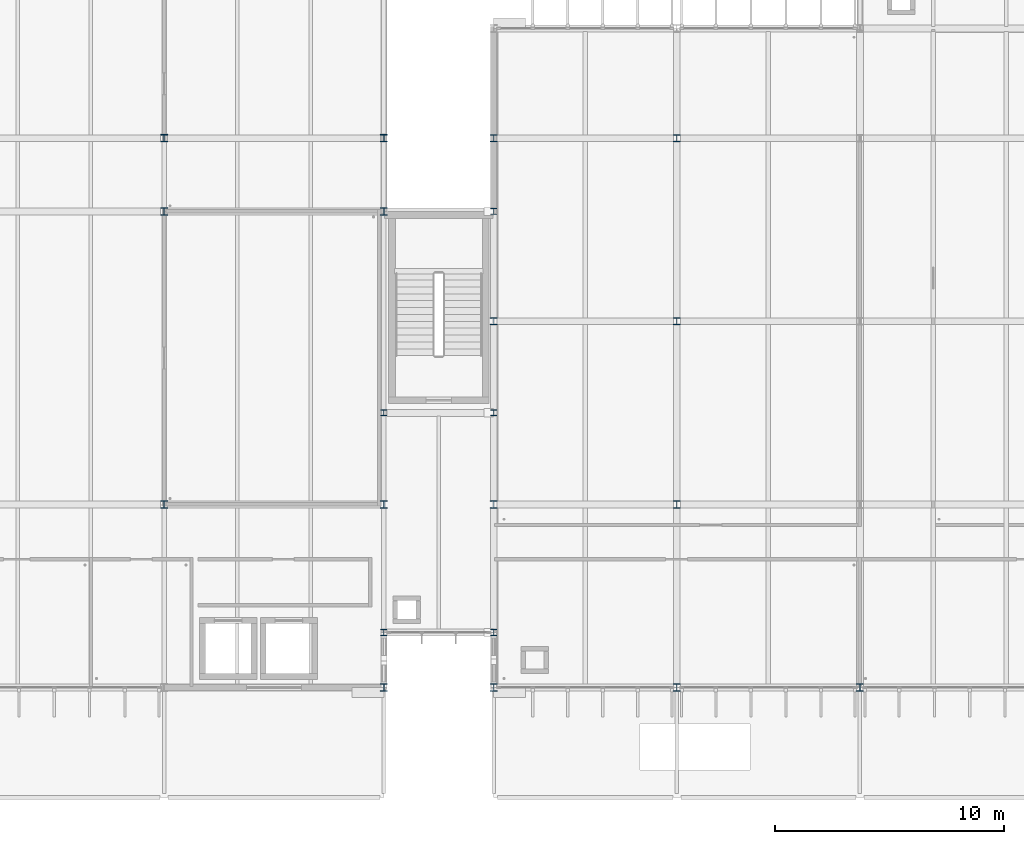
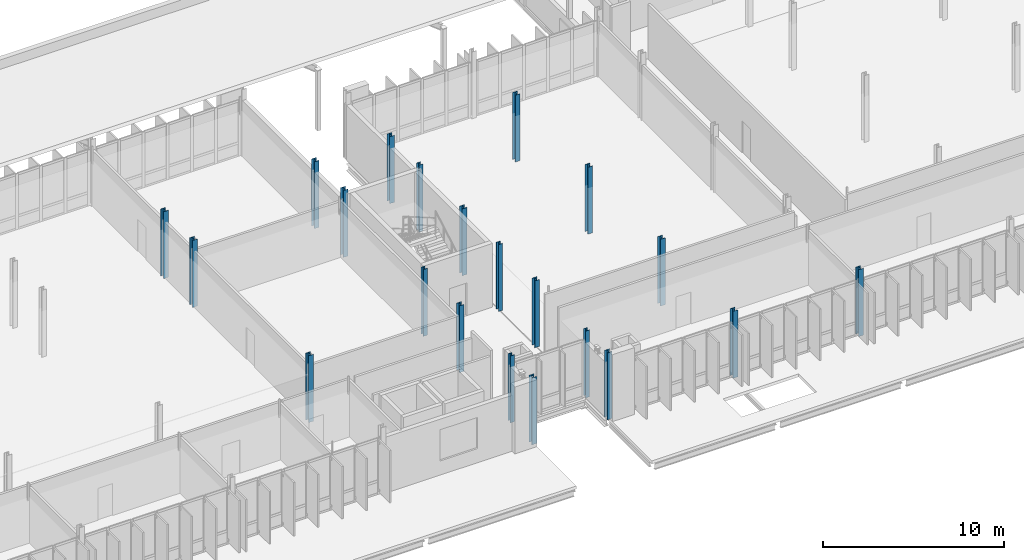
# One storey, part 6 of 107: 21 columns.
"""IFC4 building model written with IfcOpenShell, lengths in metres."""

import ifcopenshell
import ifcopenshell.guid

model = None  # the IFC model being written
_history = None  # IfcOwnerHistory: only IFC2X3 demands one
_inside = {}  # id of a spatial element -> (the spatial element, [elements in it])
_under = {}  # id of a project, library or spatial element -> (it, [spatial elements below it])
_declared = {}  # id of a project -> (the project, [libraries it declares])
_typed = {}  # id of a type object -> (the type object, [elements of that type])
_made_of = {}  # id of a material, layer set ... -> (it, [elements and type objects made of it])


def new_model(schema):
    """Start an empty IFC model of exactly this schema.

    Asked for "IFC4X3", IfcOpenShell would pick the latest addendum, in which some entities
    have other attributes; the version numbers below select the first issue.
    IFC2X3 requires an IfcOwnerHistory on every rooted entity: one is made here for all.
    """
    global model, _history
    if schema == "IFC4X3":
        model = ifcopenshell.file(schema_version=(4, 3, 0, 0))
    else:
        model = ifcopenshell.file(schema=schema)
    _inside.clear()
    _under.clear()
    _declared.clear()
    _typed.clear()
    _made_of.clear()
    _history = None
    if model.schema == "IFC2X3":
        org = make("IfcOrganization", Name="unknown")
        user = make(
            "IfcPersonAndOrganization",
            ThePerson=make("IfcPerson", FamilyName="unknown"),
            TheOrganization=org,
        )
        app = make(
            "IfcApplication",
            ApplicationDeveloper=org,
            Version="unknown",
            ApplicationFullName="unknown",
            ApplicationIdentifier="unknown",
        )
        _history = make(
            "IfcOwnerHistory",
            OwningUser=user,
            OwningApplication=app,
            ChangeAction="ADDED",
            CreationDate=0,
        )
    return model


def make(cls, **values):
    """One entity of the class cls with the attributes given. An attribute that is None is left unset."""
    return model.create_entity(
        cls, **{name: value for name, value in values.items() if value is not None}
    )


def rooted(cls, **values):
    """An entity with a GlobalId (a new one), such as an element, a storey or a relation."""
    return make(cls, GlobalId=ifcopenshell.guid.new(), OwnerHistory=_history, **values)


def si_unit(unit_type, name, prefix=None):
    """IfcSIUnit, for example si_unit("LENGTHUNIT", "METRE", prefix="MILLI")."""
    return make("IfcSIUnit", UnitType=unit_type, Prefix=prefix, Name=name)


def assignment(units):
    """IfcUnitAssignment: the units of a project."""
    return None if units is None else make("IfcUnitAssignment", Units=units)


def point(xyz):
    """IfcCartesianPoint."""
    return None if xyz is None else make("IfcCartesianPoint", Coordinates=xyz)


def direction(xyz):
    """IfcDirection."""
    return None if xyz is None else make("IfcDirection", DirectionRatios=xyz)


def frame(location, z_axis=None, x_axis=None):
    """IfcAxis2Placement3D, a coordinate frame: its origin and axes. An axis left out is left unset."""
    return make(
        "IfcAxis2Placement3D",
        Location=point(location),
        Axis=direction(z_axis),
        RefDirection=direction(x_axis),
    )


def frame_2d(location, x_axis=None):
    """IfcAxis2Placement2D, a coordinate frame in the plane: its origin and x axis."""
    return make(
        "IfcAxis2Placement2D", Location=point(location), RefDirection=direction(x_axis)
    )


def origin():
    """The frame at (0, 0, 0) with its axes left unset."""
    return frame((0.0, 0.0, 0.0))


def origin_2d():
    """The frame at (0, 0) in the plane with its x axis left unset."""
    return frame_2d((0.0, 0.0))


def place(relative_to, where):
    """IfcLocalPlacement: puts the frame where relative to a parent placement (None: the world)."""
    return make(
        "IfcLocalPlacement", PlacementRelTo=relative_to, RelativePlacement=where
    )


def context(
    kind, dimensions, precision=None, world=None, true_north=None, identifier=None
):
    """IfcGeometricRepresentationContext, for example the 3D "Model" context."""
    return make(
        "IfcGeometricRepresentationContext",
        ContextIdentifier=identifier,
        ContextType=kind,
        CoordinateSpaceDimension=dimensions,
        Precision=precision,
        WorldCoordinateSystem=world,
        TrueNorth=true_north,
    )


def subcontext(parent, identifier, kind, view, scale=None):
    """IfcGeometricRepresentationSubContext, for example "Body" below "Model"."""
    return make(
        "IfcGeometricRepresentationSubContext",
        ContextIdentifier=identifier,
        ContextType=kind,
        ParentContext=parent,
        TargetScale=scale,
        TargetView=view,
    )


def project(units=None, contexts=None):
    """IfcProject with its units and contexts."""
    return rooted(
        "IfcProject",
        Name="project",
        RepresentationContexts=contexts,
        UnitsInContext=assignment(units),
    )


def spatial(cls, under=None, at=None, **own):
    """A site, building, storey or space (cls), placed at a placement, below another one or the project."""
    s = rooted(cls, ObjectPlacement=at, **own)
    if under is not None:
        _under.setdefault(under.id(), (under, []))[1].append(s)
    return s


def profile(cls, at=None, kind="AREA", **sizes):
    """A parametric profile (cls). Its sizes go by their IFC names, for example OverallWidth=200.0."""
    return make(cls, ProfileType=kind, Position=at, **sizes)


def i_section(**sizes):
    """IfcIShapeProfileDef."""
    return profile("IfcIShapeProfileDef", **sizes)


def extrude(swept, where, along, depth):
    """IfcExtrudedAreaSolid: the profile swept, set in the frame where, extruded along a direction by depth."""
    return make(
        "IfcExtrudedAreaSolid",
        SweptArea=swept,
        Position=where,
        ExtrudedDirection=direction(along),
        Depth=depth,
    )


def shape(context_of_items, identifier, shape_type, items):
    """IfcShapeRepresentation: the items that make up one representation, for example the "Body"."""
    return make(
        "IfcShapeRepresentation",
        ContextOfItems=context_of_items,
        RepresentationIdentifier=identifier,
        RepresentationType=shape_type,
        Items=items,
    )


def material(Name=None, Category=None):
    """IfcMaterial."""
    return make("IfcMaterial", Name=Name, Category=Category)


def material_profile(
    of_material, cross_section, Name=None, Category=None, Priority=None
):
    """IfcMaterialProfile: a cross section and its material."""
    return make(
        "IfcMaterialProfile",
        Name=Name,
        Material=of_material,
        Profile=cross_section,
        Priority=Priority,
        Category=Category,
    )


def profile_set(profiles, Name=None, composite=None):
    """IfcMaterialProfileSet."""
    return make(
        "IfcMaterialProfileSet",
        Name=Name,
        MaterialProfiles=profiles,
        CompositeProfile=composite,
    )


def made_of(thing, what):
    """Note that an element or type object is made of a material, layer set ...; save() writes the relation."""
    if what is not None:
        _made_of.setdefault(what.id(), (what, []))[1].append(thing)
    return thing


def type_object(cls, material=None, **own):
    """A type object (cls), such as IfcWallType, which elements share."""
    return made_of(rooted(cls, **own), material)


def element(
    cls,
    number,
    at=None,
    inside=None,
    cuts=None,
    type_object=None,
    material=None,
    context=None,
    identifier="Body",
    shape_type=None,
    held_by="IfcProductDefinitionShape",
    body=None,
    shapes=None,
    **own,
):
    """One element of the class cls, such as IfcWall. Its Tag is "e" and its number.

    at: its placement. inside: the storey or other place that contains it. cuts: it is an
    opening in that element (IfcRelVoidsElement). A single representation is given by context,
    identifier, shape_type and body (its items); several are given by shapes. held_by: the class
    of the entity that holds the representations. save() writes the other relations.
    """
    e = rooted(cls, Tag="e%d" % number, ObjectPlacement=at, **own)
    if body is not None:
        shapes = [shape(context, identifier, shape_type, body)]
    if shapes is not None:
        e.Representation = make(held_by, Representations=shapes)
    if inside is not None:
        _inside.setdefault(inside.id(), (inside, []))[1].append(e)
    if cuts is not None:
        rooted(
            "IfcRelVoidsElement", RelatingBuildingElement=cuts, RelatedOpeningElement=e
        )
    if type_object is not None:
        _typed.setdefault(type_object.id(), (type_object, []))[1].append(e)
    return made_of(e, material)


def aggregate(whole, parts):
    """IfcRelAggregates: a whole, such as a stair, and the parts it consists of."""
    return rooted("IfcRelAggregates", RelatingObject=whole, RelatedObjects=parts)


def save(model, path):
    """Write the relations noted so far, then the file.

    IfcRelAggregates (storeys below a building ...), IfcRelContainedInSpatialStructure (elements
    in a storey), IfcRelDefinesByType, IfcRelAssociatesMaterial and IfcRelDeclares: one each for
    every whole, place, type object, material and project.
    """
    for whole, parts in _under.values():
        aggregate(whole, parts)
    for where, things in _inside.values():
        rooted(
            "IfcRelContainedInSpatialStructure",
            RelatedElements=things,
            RelatingStructure=where,
        )
    for kind, things in _typed.values():
        rooted("IfcRelDefinesByType", RelatedObjects=things, RelatingType=kind)
    for what, things in _made_of.values():
        rooted("IfcRelAssociatesMaterial", RelatedObjects=things, RelatingMaterial=what)
    for by, libraries in _declared.values():
        rooted("IfcRelDeclares", RelatingContext=by, RelatedDefinitions=libraries)
    model.write(path)


model = new_model("IFC4")

# Units and contexts
model_context = context("Model", 3, precision=1e-05, world=origin(), true_north=direction((0.0, 1.0)))
body_context = subcontext(model_context, "Body", "Model", "MODEL_VIEW")
ifc_project = project(units=[si_unit("LENGTHUNIT", "METRE"), si_unit("AREAUNIT", "SQUARE_METRE"), si_unit("VOLUMEUNIT", "CUBIC_METRE"), si_unit("PLANEANGLEUNIT", "RADIAN"), si_unit("MASSUNIT", "GRAM", prefix="KILO")], contexts=[model_context])

# Site, building, storey
site_placement = place(None, origin())
site = spatial("IfcSite", under=ifc_project, at=site_placement, CompositionType="ELEMENT")
building_placement = place(site_placement, origin())
building = spatial("IfcBuilding", under=site, at=building_placement, Name="Dunescarp Central Library", CompositionType="ELEMENT")
storey_placement = place(building_placement, frame((0.0, 0.0, 5.10009765625)))
storey = spatial("IfcBuildingStorey", under=building, at=storey_placement, Name="L01", CompositionType="ELEMENT", Elevation=5.10009765625)

# Columns
ifc_material = material(Name="Steel S355JR", Category="steel")
ifc_material_profile_1 = material_profile(ifc_material, i_section(OverallWidth=0.2587890625, OverallDepth=0.2666015625, WebThickness=0.0126953125, FlangeThickness=0.0205078125, at=origin_2d()), Name="UC 254x254x107")
ifc_profile_set_1 = profile_set([ifc_material_profile_1], Name="Steel S355JR")
column_type_1 = type_object("IfcColumnType", Name="STR-COL-UC254X107", PredefinedType="COLUMN", material=ifc_profile_set_1)
for number, where, z_axis, x_axis, name in (
    (1, (76.800048828125, 7.199951171875, 0.0), (0.0, 0.0, 1.0), (1.0, 0.0, 0.0), "L01 column V2L-768-72"),
    (2, (76.800048828125, 16.800048828125, 0.0), (0.0, 0.0, 1.0), (1.0, 0.0, 0.0), "L01 column V2L-768-168"),
    (3, (81.60009765625, 7.199951171875, 0.0), (0.0, 0.0, 1.0), (1.0, 0.0, 0.0), "L01 column V3L-816-72"),
    (4, (81.60009765625, 16.800048828125, 0.0), (0.0, 0.0, 1.0), (1.0, 0.0, 0.0), "L01 column V3L-816-168"),
    (5, (81.60009765625, 25.60009765625, 0.0), (0.0, 0.0, 1.0), (1.0, 0.0, 0.0), "L01 column V3L-816-256"),
):
    element("IfcColumn", number, at=place(storey_placement, frame(where, z_axis=z_axis, x_axis=x_axis)), inside=storey, type_object=column_type_1, Name=name, PredefinedType="COLUMN", context=body_context, shape_type="SweptSolid", body=[
        extrude(i_section(OverallWidth=0.2587890625, OverallDepth=0.2666015625, WebThickness=0.0126953125, FlangeThickness=0.0205078125, at=origin_2d()), origin(), (0.0, 0.0, 1.0), 4.5),
    ])
ifc_material_profile_2 = material_profile(ifc_material, i_section(OverallWidth=0.30908203125, OverallDepth=0.320556640625, WebThickness=0.013916015625, FlangeThickness=0.021728515625, at=origin_2d()), Name="UC 305x305x137")
ifc_profile_set_2 = profile_set([ifc_material_profile_2], Name="Steel S355JR")
column_type_2 = type_object("IfcColumnType", Name="STR-COL-UC305X137", PredefinedType="COLUMN", material=ifc_profile_set_2)
for number, where, z_axis, x_axis, name in (
    (6, (67.199951171875, 12.800048828125, 0.0), (0.0, 0.0, 1.0), (1.0, 0.0, 0.0), "L01 column V2-672-128"),
    (7, (67.199951171875, 25.60009765625, 0.0), (0.0, 0.0, 1.0), (1.0, 0.0, 0.0), "L01 column V2-672-256"),
    (8, (76.800048828125, 4.800048828125, 0.0), (0.0, 0.0, 1.0), (1.0, 0.0, 0.0), "L01 column V2-768-48"),
    (9, (76.800048828125, 12.800048828125, 0.0), (0.0, 0.0, 1.0), (1.0, 0.0, 0.0), "L01 column V2-768-128"),
    (10, (76.800048828125, 25.60009765625, 0.0), (0.0, 0.0, 1.0), (1.0, 0.0, 0.0), "L01 column V2-768-256"),
    (11, (81.60009765625, 4.800048828125, 0.0), (0.0, 0.0, 1.0), (1.0, 0.0, 0.0), "L01 column V3-816-48"),
    (12, (81.60009765625, 12.800048828125, 0.0), (0.0, 0.0, 1.0), (1.0, 0.0, 0.0), "L01 column V3-816-128"),
    (13, (81.60009765625, 20.800048828125, 0.0), (0.0, 0.0, 1.0), (1.0, 0.0, 0.0), "L01 column V3-816-208"),
    (14, (81.60009765625, 28.800048828125, 0.0), (0.0, 0.0, 1.0), (1.0, 0.0, 0.0), "L01 column V3-816-288"),
    (15, (89.60009765625, 4.800048828125, 0.0), (0.0, 0.0, 1.0), (1.0, 0.0, 0.0), "L01 column V3-896-48"),
    (16, (89.60009765625, 12.800048828125, 0.0), (0.0, 0.0, 1.0), (1.0, 0.0, 0.0), "L01 column V3-896-128"),
    (17, (89.60009765625, 20.800048828125, 0.0), (0.0, 0.0, 1.0), (1.0, 0.0, 0.0), "L01 column V3-896-208"),
    (18, (89.60009765625, 28.800048828125, 0.0), (0.0, 0.0, 1.0), (1.0, 0.0, 0.0), "L01 column V3-896-288"),
    (19, (97.60009765625, 4.800048828125, 0.0), (0.0, 0.0, 1.0), (1.0, 0.0, 0.0), "L01 column V3-976-48"),
):
    element("IfcColumn", number, at=place(storey_placement, frame(where, z_axis=z_axis, x_axis=x_axis)), inside=storey, type_object=column_type_2, Name=name, PredefinedType="COLUMN", context=body_context, shape_type="SweptSolid", body=[
        extrude(i_section(OverallWidth=0.30908203125, OverallDepth=0.320556640625, WebThickness=0.013916015625, FlangeThickness=0.021728515625, at=origin_2d()), origin(), (0.0, 0.0, 1.0), 4.5),
    ])
ifc_material_profile_3 = material_profile(ifc_material, i_section(OverallWidth=0.311279296875, OverallDepth=0.3271484375, WebThickness=0.015869140625, FlangeThickness=0.02490234375, at=origin_2d()), Name="UC 305x305x158")
ifc_profile_set_3 = profile_set([ifc_material_profile_3], Name="Steel S355JR")
column_type_3 = type_object("IfcColumnType", Name="STR-COL-UC305X158", PredefinedType="COLUMN", material=ifc_profile_set_3)
for number, where, z_axis, x_axis, name in (
    (20, (67.199951171875, 28.800048828125, 0.0), (0.0, 0.0, 1.0), (1.0, 0.0, 0.0), "L01 column V2N5-672"),
    (21, (76.800048828125, 28.800048828125, 0.0), (0.0, 0.0, 1.0), (1.0, 0.0, 0.0), "L01 column V2N5-768"),
):
    element("IfcColumn", number, at=place(storey_placement, frame(where, z_axis=z_axis, x_axis=x_axis)), inside=storey, type_object=column_type_3, Name=name, PredefinedType="COLUMN", context=body_context, shape_type="SweptSolid", body=[
        extrude(i_section(OverallWidth=0.311279296875, OverallDepth=0.3271484375, WebThickness=0.015869140625, FlangeThickness=0.02490234375, at=origin_2d()), origin(), (0.0, 0.0, 1.0), 4.5),
    ])

save(model, "model.ifc")
